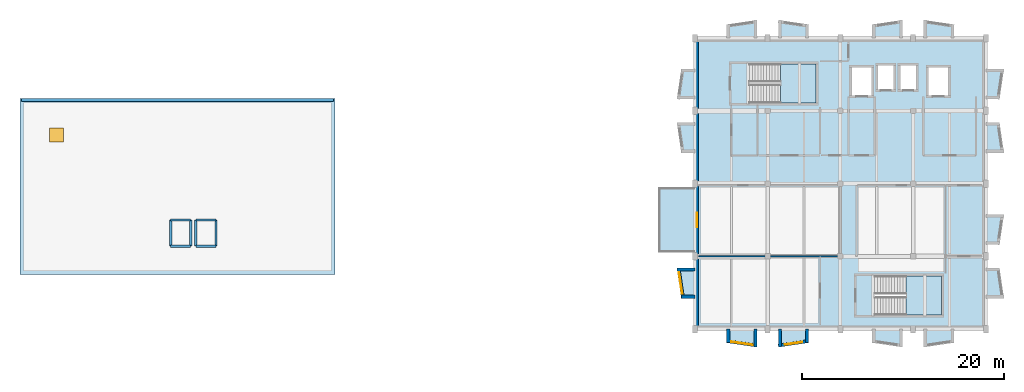
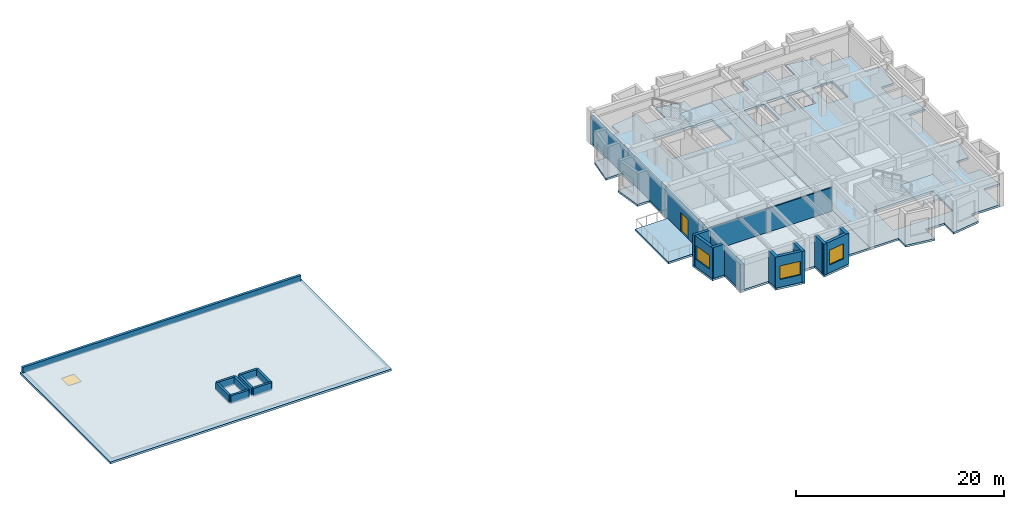
# One storey, part 2 of 7: 20 walls, 6 slabs, 4 windows, 1 door, 5 openings, 2 elements without a shape of their own.
"""IFC4 building model written with IfcOpenShell, lengths in metres."""

import ifcopenshell
import ifcopenshell.guid

model = None  # the IFC model being written
_history = None  # IfcOwnerHistory: only IFC2X3 demands one
_inside = {}  # id of a spatial element -> (the spatial element, [elements in it])
_under = {}  # id of a project, library or spatial element -> (it, [spatial elements below it])
_declared = {}  # id of a project -> (the project, [libraries it declares])
_typed = {}  # id of a type object -> (the type object, [elements of that type])
_made_of = {}  # id of a material, layer set ... -> (it, [elements and type objects made of it])


def new_model(schema):
    """Start an empty IFC model of exactly this schema.

    Asked for "IFC4X3", IfcOpenShell would pick the latest addendum, in which some entities
    have other attributes; the version numbers below select the first issue.
    IFC2X3 requires an IfcOwnerHistory on every rooted entity: one is made here for all.
    """
    global model, _history
    if schema == "IFC4X3":
        model = ifcopenshell.file(schema_version=(4, 3, 0, 0))
    else:
        model = ifcopenshell.file(schema=schema)
    _inside.clear()
    _under.clear()
    _declared.clear()
    _typed.clear()
    _made_of.clear()
    _history = None
    if model.schema == "IFC2X3":
        org = make("IfcOrganization", Name="unknown")
        user = make(
            "IfcPersonAndOrganization",
            ThePerson=make("IfcPerson", FamilyName="unknown"),
            TheOrganization=org,
        )
        app = make(
            "IfcApplication",
            ApplicationDeveloper=org,
            Version="unknown",
            ApplicationFullName="unknown",
            ApplicationIdentifier="unknown",
        )
        _history = make(
            "IfcOwnerHistory",
            OwningUser=user,
            OwningApplication=app,
            ChangeAction="ADDED",
            CreationDate=0,
        )
    return model


def make(cls, **values):
    """One entity of the class cls with the attributes given. An attribute that is None is left unset."""
    return model.create_entity(
        cls, **{name: value for name, value in values.items() if value is not None}
    )


def rooted(cls, **values):
    """An entity with a GlobalId (a new one), such as an element, a storey or a relation."""
    return make(cls, GlobalId=ifcopenshell.guid.new(), OwnerHistory=_history, **values)


def si_unit(unit_type, name, prefix=None):
    """IfcSIUnit, for example si_unit("LENGTHUNIT", "METRE", prefix="MILLI")."""
    return make("IfcSIUnit", UnitType=unit_type, Prefix=prefix, Name=name)


def assignment(units):
    """IfcUnitAssignment: the units of a project."""
    return None if units is None else make("IfcUnitAssignment", Units=units)


def point(xyz):
    """IfcCartesianPoint."""
    return None if xyz is None else make("IfcCartesianPoint", Coordinates=xyz)


def direction(xyz):
    """IfcDirection."""
    return None if xyz is None else make("IfcDirection", DirectionRatios=xyz)


def frame(location, z_axis=None, x_axis=None):
    """IfcAxis2Placement3D, a coordinate frame: its origin and axes. An axis left out is left unset."""
    return make(
        "IfcAxis2Placement3D",
        Location=point(location),
        Axis=direction(z_axis),
        RefDirection=direction(x_axis),
    )


def frame_2d(location, x_axis=None):
    """IfcAxis2Placement2D, a coordinate frame in the plane: its origin and x axis."""
    return make(
        "IfcAxis2Placement2D", Location=point(location), RefDirection=direction(x_axis)
    )


def origin():
    """The frame at (0, 0, 0) with its axes left unset."""
    return frame((0.0, 0.0, 0.0))


def origin_2d():
    """The frame at (0, 0) in the plane with its x axis left unset."""
    return frame_2d((0.0, 0.0))


def place(relative_to, where):
    """IfcLocalPlacement: puts the frame where relative to a parent placement (None: the world)."""
    return make(
        "IfcLocalPlacement", PlacementRelTo=relative_to, RelativePlacement=where
    )


def context(
    kind, dimensions, precision=None, world=None, true_north=None, identifier=None
):
    """IfcGeometricRepresentationContext, for example the 3D "Model" context."""
    return make(
        "IfcGeometricRepresentationContext",
        ContextIdentifier=identifier,
        ContextType=kind,
        CoordinateSpaceDimension=dimensions,
        Precision=precision,
        WorldCoordinateSystem=world,
        TrueNorth=true_north,
    )


def subcontext(parent, identifier, kind, view, scale=None):
    """IfcGeometricRepresentationSubContext, for example "Body" below "Model"."""
    return make(
        "IfcGeometricRepresentationSubContext",
        ContextIdentifier=identifier,
        ContextType=kind,
        ParentContext=parent,
        TargetScale=scale,
        TargetView=view,
    )


def project(units=None, contexts=None):
    """IfcProject with its units and contexts."""
    return rooted(
        "IfcProject",
        Name="project",
        RepresentationContexts=contexts,
        UnitsInContext=assignment(units),
    )


def spatial(cls, under=None, at=None, **own):
    """A site, building, storey or space (cls), placed at a placement, below another one or the project."""
    s = rooted(cls, ObjectPlacement=at, **own)
    if under is not None:
        _under.setdefault(under.id(), (under, []))[1].append(s)
    return s


def polyline(points):
    """IfcPolyline through the points."""
    return make("IfcPolyline", Points=[point(p) for p in points])


def profile(cls, at=None, kind="AREA", **sizes):
    """A parametric profile (cls). Its sizes go by their IFC names, for example OverallWidth=200.0."""
    return make(cls, ProfileType=kind, Position=at, **sizes)


def rectangle(**sizes):
    """IfcRectangleProfileDef."""
    return profile("IfcRectangleProfileDef", **sizes)


def outline(outer, holes=None, kind="AREA"):
    """IfcArbitraryClosedProfileDef: a profile drawn as a closed curve; with holes, ...WithVoids."""
    if holes is None:
        return make("IfcArbitraryClosedProfileDef", ProfileType=kind, OuterCurve=outer)
    return make(
        "IfcArbitraryProfileDefWithVoids",
        ProfileType=kind,
        OuterCurve=outer,
        InnerCurves=holes,
    )


def extrude(swept, where, along, depth):
    """IfcExtrudedAreaSolid: the profile swept, set in the frame where, extruded along a direction by depth."""
    return make(
        "IfcExtrudedAreaSolid",
        SweptArea=swept,
        Position=where,
        ExtrudedDirection=direction(along),
        Depth=depth,
    )


def shape(context_of_items, identifier, shape_type, items):
    """IfcShapeRepresentation: the items that make up one representation, for example the "Body"."""
    return make(
        "IfcShapeRepresentation",
        ContextOfItems=context_of_items,
        RepresentationIdentifier=identifier,
        RepresentationType=shape_type,
        Items=items,
    )


def material(Name=None, Category=None):
    """IfcMaterial."""
    return make("IfcMaterial", Name=Name, Category=Category)


def layer(
    of_material, thickness, ventilated=None, Name=None, Category=None, Priority=None
):
    """IfcMaterialLayer: one layer of a wall or slab, of a material (None: an air gap)."""
    return make(
        "IfcMaterialLayer",
        Material=of_material,
        LayerThickness=thickness,
        IsVentilated=ventilated,
        Name=Name,
        Category=Category,
        Priority=Priority,
    )


def layer_set(layers, Name=None):
    """IfcMaterialLayerSet."""
    return make("IfcMaterialLayerSet", MaterialLayers=layers, LayerSetName=Name)


def made_of(thing, what):
    """Note that an element or type object is made of a material, layer set ...; save() writes the relation."""
    if what is not None:
        _made_of.setdefault(what.id(), (what, []))[1].append(thing)
    return thing


def type_object(cls, material=None, **own):
    """A type object (cls), such as IfcWallType, which elements share."""
    return made_of(rooted(cls, **own), material)


def element(
    cls,
    number,
    at=None,
    inside=None,
    cuts=None,
    type_object=None,
    material=None,
    context=None,
    identifier="Body",
    shape_type=None,
    held_by="IfcProductDefinitionShape",
    body=None,
    shapes=None,
    **own,
):
    """One element of the class cls, such as IfcWall. Its Tag is "e" and its number.

    at: its placement. inside: the storey or other place that contains it. cuts: it is an
    opening in that element (IfcRelVoidsElement). A single representation is given by context,
    identifier, shape_type and body (its items); several are given by shapes. held_by: the class
    of the entity that holds the representations. save() writes the other relations.
    """
    e = rooted(cls, Tag="e%d" % number, ObjectPlacement=at, **own)
    if body is not None:
        shapes = [shape(context, identifier, shape_type, body)]
    if shapes is not None:
        e.Representation = make(held_by, Representations=shapes)
    if inside is not None:
        _inside.setdefault(inside.id(), (inside, []))[1].append(e)
    if cuts is not None:
        rooted(
            "IfcRelVoidsElement", RelatingBuildingElement=cuts, RelatedOpeningElement=e
        )
    if type_object is not None:
        _typed.setdefault(type_object.id(), (type_object, []))[1].append(e)
    return made_of(e, material)


def fill(opening, filler):
    """IfcRelFillsElement: the door or window that sits in an opening."""
    return rooted(
        "IfcRelFillsElement",
        RelatingOpeningElement=opening,
        RelatedBuildingElement=filler,
    )


def aggregate(whole, parts):
    """IfcRelAggregates: a whole, such as a stair, and the parts it consists of."""
    return rooted("IfcRelAggregates", RelatingObject=whole, RelatedObjects=parts)


def save(model, path):
    """Write the relations noted so far, then the file.

    IfcRelAggregates (storeys below a building ...), IfcRelContainedInSpatialStructure (elements
    in a storey), IfcRelDefinesByType, IfcRelAssociatesMaterial and IfcRelDeclares: one each for
    every whole, place, type object, material and project.
    """
    for whole, parts in _under.values():
        aggregate(whole, parts)
    for where, things in _inside.values():
        rooted(
            "IfcRelContainedInSpatialStructure",
            RelatedElements=things,
            RelatingStructure=where,
        )
    for kind, things in _typed.values():
        rooted("IfcRelDefinesByType", RelatedObjects=things, RelatingType=kind)
    for what, things in _made_of.values():
        rooted("IfcRelAssociatesMaterial", RelatedObjects=things, RelatingMaterial=what)
    for by, libraries in _declared.values():
        rooted("IfcRelDeclares", RelatingContext=by, RelatedDefinitions=libraries)
    model.write(path)


model = new_model("IFC4")

# Units and contexts
model_context = context("Model", 3, precision=1e-05, world=origin(), true_north=direction((0.0, 1.0)))
body_context = subcontext(model_context, "Body", "Model", "MODEL_VIEW")
ifc_project = project(units=[si_unit("LENGTHUNIT", "METRE"), si_unit("AREAUNIT", "SQUARE_METRE"), si_unit("VOLUMEUNIT", "CUBIC_METRE"), si_unit("PLANEANGLEUNIT", "RADIAN"), si_unit("MASSUNIT", "GRAM", prefix="KILO")], contexts=[model_context])

# Site, building, storey
site_placement = place(None, origin())
site = spatial("IfcSite", under=ifc_project, at=site_placement, CompositionType="ELEMENT")
building_placement = place(site_placement, origin())
building = spatial("IfcBuilding", under=site, at=building_placement, Name="Bramveld Media Centre", CompositionType="ELEMENT")
storey_placement = place(building_placement, frame((0.0, 0.0, 25.800048828125)))
storey = spatial("IfcBuildingStorey", under=building, at=storey_placement, Name="L06", CompositionType="ELEMENT", Elevation=25.800048828125)

# Slab, opening, window
ifc_material_1 = material(Name="Concrete C40/50", Category="concrete")
ifc_layer_1 = layer(ifc_material_1, 0.238037109375)
ifc_layer_set_1 = layer_set([ifc_layer_1], Name="Concrete C40/50")
slab_type_1 = type_object("IfcSlabType", Name="ROOF-SLAB-238-14", PredefinedType="ROOF", material=ifc_layer_set_1)
slab_1_placement = place(storey_placement, frame((0.0, 0.0, -0.238037109375)))
slab_1 = element("IfcSlab", 1, at=slab_1_placement, inside=storey, type_object=slab_type_1, Name="V6 L06 flat roof slab", PredefinedType="ROOF", context=body_context, shape_type="SweptSolid", body=[
    extrude(outline(polyline([(64.39990234375, 88.60009765625), (95.60009765625, 88.60009765625), (95.60009765625, 106.0), (64.39990234375, 106.0), (64.39990234375, 88.60009765625)])), origin(), (0.0, 0.0, 1.0), 0.238037109375),
])
opening_1_placement = place(slab_1_placement, frame((68.0, 102.39990234375, 0.0)))
opening_1 = element("IfcOpeningElement", 2, at=opening_1_placement, cuts=slab_1, Name="Opening SK-02", PredefinedType="OPENING", context=body_context, shape_type="SweptSolid", body=[
    extrude(rectangle(XDim=1.39990234375, YDim=1.39990234375, at=origin_2d()), origin(), (0.0, 0.0, 1.0), 0.238037109375),
])
ifc_material_2 = material(Name="Insulated aluminium smoke-ventilation & maintenance roof skylight hatch", Category="aluminium")
window_type_1 = type_object("IfcWindowType", Name="SKY-HATCH-02", PartitioningType="SINGLE_PANEL", PredefinedType="SKYLIGHT", material=ifc_material_2)
window_1_placement = place(opening_1_placement, frame((0.0, 0.0, 0.18798828125)))
window_1 = element("IfcWindow", 3, at=window_1_placement, inside=storey, type_object=window_type_1, Name="Roof maintenance & smoke-vent skylight hatch 13", OverallHeight=1.39990234375, OverallWidth=1.39990234375, PartitioningType="SINGLE_PANEL", PredefinedType="SKYLIGHT", context=body_context, shape_type="SweptSolid", body=[
    extrude(rectangle(XDim=1.39990234375, YDim=1.39990234375, at=origin_2d()), origin(), (0.0, 0.0, 1.0), 0.050048828125),
])
fill(opening_1, window_1)

# Slabs
ifc_material_3 = material(Name="Precast concrete C40/50", Category="concrete")
ifc_layer_2 = layer(ifc_material_3, 0.239990234375)
ifc_layer_set_2 = layer_set([ifc_layer_2], Name="Precast concrete C40/50")
slab_type_2 = type_object("IfcSlabType", Name="SLAB-FLOOR-EXT-240", PredefinedType="FLOOR", material=ifc_layer_set_2)
slab_2_placement = place(storey_placement, frame((0.0, 0.0, -0.239990234375)))
element("IfcSlab", 4, at=slab_2_placement, inside=storey, type_object=slab_type_2, Name="Courtyard Broadcast Balcony L06", PredefinedType="FLOOR", context=body_context, shape_type="SweptSolid", body=[
    extrude(outline(polyline([(127.60009765625, 90.800048828125), (131.199951171875, 90.800048828125), (131.199951171875, 97.199951171875), (127.60009765625, 97.199951171875), (127.60009765625, 90.800048828125)])), origin(), (0.0, 0.0, 1.0), 0.239990234375),
])
ifc_material_4 = material(Name="Concrete C40/50", Category="concrete")
ifc_layer_3 = layer(ifc_material_4, 0.239990234375)
ifc_layer_set_3 = layer_set([ifc_layer_3], Name="Concrete C40/50")
slab_type_3 = type_object("IfcSlabType", Name="SLAB-FLOOR-INT-240", PredefinedType="FLOOR", material=ifc_layer_set_3)
slab_3_placement = place(storey_placement, frame((0.0, 0.0, -0.239990234375)))
element("IfcSlab", 5, at=slab_3_placement, inside=storey, type_object=slab_type_3, Name="V7 L06 structural slab 1", PredefinedType="FLOOR", context=body_context, shape_type="SweptSolid", body=[
    extrude(outline(polyline([(131.199951171875, 86.25), (129.85009765625, 86.25), (129.406982421875, 89.25), (131.199951171875, 89.25), (131.199951171875, 100.64990234375), (129.85009765625, 100.64990234375), (129.406982421875, 103.64990234375), (131.199951171875, 103.64990234375), (131.199951171875, 105.949951171875), (129.406982421875, 105.949951171875), (129.85009765625, 108.949951171875), (131.199951171875, 108.949951171875), (131.199951171875, 112.0), (134.35009765625, 112.0), (134.35009765625, 113.35009765625), (137.35009765625, 113.79296875), (137.35009765625, 112.0), (139.449951171875, 112.0), (139.449951171875, 113.79296875), (142.449951171875, 113.35009765625), (142.449951171875, 112.0), (145.60009765625, 112.0), (145.60009765625, 83.199951171875), (142.449951171875, 83.199951171875), (142.449951171875, 81.85009765625), (139.449951171875, 81.406982421875), (139.449951171875, 83.199951171875), (137.35009765625, 83.199951171875), (137.35009765625, 81.406982421875), (134.35009765625, 81.85009765625), (134.35009765625, 83.199951171875), (131.199951171875, 83.199951171875), (131.199951171875, 86.25)]), holes=[polyline([(143.199951171875, 109.449951171875), (136.60009765625, 109.449951171875), (136.60009765625, 105.60009765625), (143.199951171875, 105.60009765625), (143.199951171875, 109.449951171875)])]), origin(), (0.0, 0.0, 1.0), 0.239990234375),
])
slab_4_placement = place(storey_placement, frame((0.0, 0.0, -0.239990234375)))
element("IfcSlab", 6, at=slab_4_placement, inside=storey, type_object=slab_type_3, Name="V7 L06 structural slab 2", PredefinedType="FLOOR", context=body_context, shape_type="SweptSolid", body=[
    extrude(outline(polyline([(148.75, 113.35009765625), (151.75, 113.79296875), (151.75, 112.0), (153.85009765625, 112.0), (153.85009765625, 113.79296875), (156.85009765625, 113.35009765625), (156.85009765625, 112.0), (160.0, 112.0), (160.0, 108.949951171875), (161.79296875, 108.949951171875), (161.35009765625, 105.949951171875), (160.0, 105.949951171875), (160.0, 103.64990234375), (161.35009765625, 103.64990234375), (161.79296875, 100.64990234375), (160.0, 100.64990234375), (160.0, 94.550048828125), (161.79296875, 94.550048828125), (161.35009765625, 91.550048828125), (160.0, 91.550048828125), (160.0, 89.25), (161.35009765625, 89.25), (161.79296875, 86.25), (160.0, 86.25), (160.0, 83.199951171875), (156.85009765625, 83.199951171875), (156.85009765625, 81.85009765625), (153.85009765625, 81.406982421875), (153.85009765625, 83.199951171875), (151.75, 83.199951171875), (151.75, 81.406982421875), (148.75, 81.85009765625), (148.75, 83.199951171875), (145.60009765625, 83.199951171875), (145.60009765625, 112.0), (148.75, 112.0), (148.75, 113.35009765625)]), holes=[polyline([(149.0, 88.449951171875), (149.0, 84.60009765625), (155.60009765625, 84.60009765625), (155.60009765625, 88.449951171875), (149.0, 88.449951171875)]), polyline([(146.60009765625, 109.199951171875), (146.60009765625, 106.199951171875), (148.800048828125, 106.199951171875), (148.800048828125, 109.199951171875), (146.60009765625, 109.199951171875)]), polyline([(154.199951171875, 106.199951171875), (156.39990234375, 106.199951171875), (156.39990234375, 109.199951171875), (154.199951171875, 109.199951171875), (154.199951171875, 106.199951171875)]), polyline([(149.199951171875, 109.39990234375), (149.199951171875, 106.800048828125), (151.0, 106.800048828125), (151.0, 109.39990234375), (149.199951171875, 109.39990234375)]), polyline([(151.39990234375, 109.39990234375), (151.39990234375, 106.800048828125), (153.199951171875, 106.800048828125), (153.199951171875, 109.39990234375), (151.39990234375, 109.39990234375)])]), origin(), (0.0, 0.0, 1.0), 0.239990234375),
])

# Stair, slab
ifc_material_5 = material(Name="Concrete C40/50", Category="concrete")
stair_type_1 = type_object("IfcStairType", Name="STAIR-ST-01-24R-1800", PredefinedType="HALF_TURN_STAIR", material=ifc_material_5)
stair_1_placement = place(storey_placement, origin())
stair_1 = element("IfcStair", 7, at=stair_1_placement, inside=storey, type_object=stair_type_1, Name="L06 Core A1 Pressurized Firefighting Stair", PredefinedType="HALF_TURN_STAIR")
ifc_material_6 = material(Name="Concrete C40/50", Category="concrete")
ifc_layer_4 = layer(ifc_material_6, 0.199951171875)
ifc_layer_set_4 = layer_set([ifc_layer_4], Name="Concrete C40/50")
slab_type_4 = type_object("IfcSlabType", Name="SLAB-STAIR-LAND-200", PredefinedType="LANDING", material=ifc_layer_set_4)
slab_5_placement = place(storey_placement, frame((0.0, 0.0, 1.75)))
slab_5 = element("IfcSlab", 8, at=slab_5_placement, type_object=slab_type_4, Name="ST-01 landing 1", PredefinedType="LANDING", context=body_context, shape_type="SweptSolid", body=[
    extrude(outline(polyline([(139.679931640625, 105.60009765625), (143.199951171875, 105.60009765625), (143.199951171875, 109.449951171875), (139.679931640625, 109.449951171875), (139.679931640625, 105.60009765625)])), origin(), (0.0, 0.0, 1.0), 0.199951171875),
])
aggregate(stair_1, [slab_5])

ifc_material_7 = material(Name="Concrete C40/50", Category="concrete")
stair_type_2 = type_object("IfcStairType", Name="STAIR-ST-02-24R-1800", PredefinedType="HALF_TURN_STAIR", material=ifc_material_7)
stair_2_placement = place(storey_placement, origin())
stair_2 = element("IfcStair", 9, at=stair_2_placement, inside=storey, type_object=stair_type_2, Name="L06 Core A2 Pressurized Escape Stair", PredefinedType="HALF_TURN_STAIR")
slab_6_placement = place(storey_placement, frame((0.0, 0.0, 1.75)))
slab_6 = element("IfcSlab", 10, at=slab_6_placement, type_object=slab_type_4, Name="ST-02 landing 1", PredefinedType="LANDING", context=body_context, shape_type="SweptSolid", body=[
    extrude(outline(polyline([(152.080078125, 84.60009765625), (155.60009765625, 84.60009765625), (155.60009765625, 88.449951171875), (152.080078125, 88.449951171875), (152.080078125, 84.60009765625)])), origin(), (0.0, 0.0, 1.0), 0.199951171875),
])
aggregate(stair_2, [slab_6])

# Wall, opening, door
ifc_material_8 = material(Name="Flemish red-brown clay facing brick cavity wall with calcium-silicate backing", Category="masonry")
ifc_layer_5 = layer(ifc_material_8, 0.3798828125)
ifc_layer_set_5 = layer_set([ifc_layer_5], Name="Flemish red-brown clay facing brick cavity wall with calcium-silicate backing")
wall_type_1 = type_object("IfcWallType", Name="EW-BRK-380", PredefinedType="SOLIDWALL", material=ifc_layer_set_5)
wall_1_placement = place(storey_placement, frame((131.389892578125, 83.199951171875, 0.0), z_axis=(0.0, 0.0, 1.0), x_axis=(0.0, 1.0, 0.0)))
wall_1 = element("IfcWall", 11, at=wall_1_placement, inside=storey, type_object=wall_type_1, Name="V7 L06 W facing brick exterior wall", PredefinedType="SOLIDWALL", context=body_context, shape_type="SweptSolid", body=[
    extrude(rectangle(XDim=28.800048828125, YDim=0.3798828125, at=frame_2d((14.39990234375, 0.0))), origin(), (0.0, 0.0, 1.0), 3.044921875),
])
opening_2_placement = place(wall_1_placement, frame((10.10009765625, 0.0, 0.0)))
opening_2 = element("IfcOpeningElement", 12, at=opening_2_placement, cuts=wall_1, Name="Opening TD-11", PredefinedType="OPENING", context=body_context, shape_type="SweptSolid", body=[
    extrude(rectangle(XDim=1.39990234375, YDim=2.199951171875, at=frame_2d((0.699951171875, 1.10009765625))), frame((0.0, 0.201904296875, 0.0), z_axis=(0.0, -1.0, 0.0), x_axis=(1.0, 0.0, 0.0)), (0.0, 0.0, 1.0), 0.40380859375),
])
ifc_material_9 = material(Name="Insulated powder-coated bronze aluminium & laminated safety glass door", Category="aluminium")
door_type = type_object("IfcDoorType", Name="DR-TER-1400", OperationType="NOTDEFINED", PredefinedType="DOOR", material=ifc_material_9)
door_placement = place(opening_2_placement, origin())
door = element("IfcDoor", 13, at=door_placement, inside=storey, type_object=door_type, Name="Exterior door TD-11", OperationType="SINGLE_SWING_LEFT", OverallHeight=2.199951171875, OverallWidth=1.39990234375, PredefinedType="DOOR", context=body_context, shape_type="SweptSolid", body=[
    extrude(rectangle(XDim=1.39990234375, YDim=2.199951171875, at=frame_2d((0.699951171875, 1.10009765625))), frame((0.0, 0.02490234375, 0.0), z_axis=(0.0, -1.0, 0.0), x_axis=(1.0, 0.0, 0.0)), (0.0, 0.0, 1.0), 0.050048828125),
])
fill(opening_2, door)

# Wall, opening, window
ifc_material_10 = material(Name="Precast concrete C40/50 & brick-slip faceted bay cheek wall", Category="masonry")
ifc_layer_6 = layer(ifc_material_10, 0.320068359375)
ifc_layer_set_6 = layer_set([ifc_layer_6], Name="Precast concrete C40/50 & brick-slip faceted bay cheek wall")
wall_type_2 = type_object("IfcWallType", Name="EW-FACET-320", PredefinedType="SOLIDWALL", material=ifc_layer_set_6)
wall_2_placement = place(storey_placement, frame((134.35009765625, 82.010009765625, 0.0), z_axis=(0.0, 0.0, 1.0), x_axis=(0.989266910268, -0.146119746268, 0.0)))
wall_2 = element("IfcWall", 14, at=wall_2_placement, inside=storey, type_object=wall_type_2, Name="V7 L06 S angled faceted bay front wall 1", PredefinedType="SOLIDWALL", context=body_context, shape_type="SweptSolid", body=[
    extrude(rectangle(XDim=3.032470703125, YDim=0.320068359375, at=frame_2d((1.51611328125, 0.0))), origin(), (0.0, 0.0, 1.0), 3.6298828125),
])
opening_3_placement = place(wall_2_placement, frame((0.44140625, 0.0, 0.89990234375)))
opening_3 = element("IfcOpeningElement", 15, at=opening_3_placement, cuts=wall_2, Name="Opening W-32", PredefinedType="OPENING", context=body_context, shape_type="SweptSolid", body=[
    extrude(rectangle(XDim=2.14990234375, YDim=1.60009765625, at=frame_2d((1.074951171875, 0.800048828125))), frame((0.0, 0.171875, 0.0), z_axis=(0.0, -1.0, 0.0), x_axis=(1.0, 0.0, 0.0)), (0.0, 0.0, 1.0), 0.343994140625),
])
ifc_material_11 = material(Name="Thermally broken anodized bronze aluminium frame with triple acoustic glazing", Category="aluminium")
window_type_2 = type_object("IfcWindowType", Name="WIN-FAC-32", PartitioningType="SINGLE_PANEL", PredefinedType="WINDOW", material=ifc_material_11)
window_2_placement = place(opening_3_placement, origin())
window_2 = element("IfcWindow", 16, at=window_2_placement, inside=storey, type_object=window_type_2, Name="V7 L06 S faceted bay window 1", OverallHeight=1.60009765625, OverallWidth=2.14990234375, PartitioningType="SINGLE_PANEL", PredefinedType="WINDOW", context=body_context, shape_type="SweptSolid", body=[
    extrude(rectangle(XDim=2.14990234375, YDim=1.60009765625, at=frame_2d((1.074951171875, 0.800048828125))), frame((0.0, 0.030029296875, 0.0), z_axis=(0.0, -1.0, 0.0), x_axis=(1.0, 0.0, 0.0)), (0.0, 0.0, 1.0), 0.06005859375),
])
fill(opening_3, window_2)

# Walls
wall_3_placement = place(storey_placement, frame((134.510009765625, 83.199951171875, 0.0), z_axis=(0.0, 0.0, 1.0), x_axis=(0.0, -1.0, 0.0)))
element("IfcWall", 17, at=wall_3_placement, inside=storey, type_object=wall_type_2, Name="V7 L06 S faceted bay cheek wall", PredefinedType="SOLIDWALL", context=body_context, shape_type="SweptSolid", body=[
    extrude(rectangle(XDim=1.349853515625, YDim=0.320068359375, at=frame_2d((0.6748046875, 0.0))), origin(), (0.0, 0.0, 1.0), 3.6298828125),
])
wall_4_placement = place(storey_placement, frame((137.18994140625, 83.199951171875, 0.0), z_axis=(0.0, 0.0, 1.0), x_axis=(0.0, -1.0, 0.0)))
element("IfcWall", 18, at=wall_4_placement, inside=storey, type_object=wall_type_2, Name="V7 L06 S faceted bay cheek wall", PredefinedType="SOLIDWALL", context=body_context, shape_type="SweptSolid", body=[
    extrude(rectangle(XDim=1.79296875, YDim=0.320068359375, at=frame_2d((0.896484375, 0.0))), origin(), (0.0, 0.0, 1.0), 3.6298828125),
])

# Wall, opening, window
wall_5_placement = place(storey_placement, frame((139.449951171875, 81.56689453125, 0.0), z_axis=(0.0, 0.0, 1.0), x_axis=(0.989266910268, 0.146119746268, 0.0)))
wall_5 = element("IfcWall", 19, at=wall_5_placement, inside=storey, type_object=wall_type_2, Name="V7 L06 S angled faceted bay front wall 2", PredefinedType="SOLIDWALL", context=body_context, shape_type="SweptSolid", body=[
    extrude(rectangle(XDim=3.032470703125, YDim=0.320068359375, at=frame_2d((1.51611328125, 0.0))), origin(), (0.0, 0.0, 1.0), 3.6298828125),
])
opening_4_placement = place(wall_5_placement, frame((0.641357421875, 0.0, 0.89990234375)))
opening_4 = element("IfcOpeningElement", 20, at=opening_4_placement, cuts=wall_5, Name="Opening W-33", PredefinedType="OPENING", context=body_context, shape_type="SweptSolid", body=[
    extrude(rectangle(XDim=1.75, YDim=1.75, at=frame_2d((0.875, 0.875))), frame((0.0, 0.171875, 0.0), z_axis=(0.0, -1.0, 0.0), x_axis=(1.0, 0.0, 0.0)), (0.0, 0.0, 1.0), 0.343994140625),
])
ifc_material_12 = material(Name="Thermally broken anodized bronze aluminium frame with triple acoustic glazing", Category="aluminium")
window_type_3 = type_object("IfcWindowType", Name="WIN-FAC-33", PartitioningType="SINGLE_PANEL", PredefinedType="WINDOW", material=ifc_material_12)
window_3_placement = place(opening_4_placement, origin())
window_3 = element("IfcWindow", 21, at=window_3_placement, inside=storey, type_object=window_type_3, Name="V7 L06 S faceted bay window 2", OverallHeight=1.75, OverallWidth=1.75, PartitioningType="SINGLE_PANEL", PredefinedType="WINDOW", context=body_context, shape_type="SweptSolid", body=[
    extrude(rectangle(XDim=1.75, YDim=1.75, at=frame_2d((0.875, 0.875))), frame((0.0, 0.030029296875, 0.0), z_axis=(0.0, -1.0, 0.0), x_axis=(1.0, 0.0, 0.0)), (0.0, 0.0, 1.0), 0.06005859375),
])
fill(opening_4, window_3)

# Walls
wall_6_placement = place(storey_placement, frame((139.610107421875, 83.199951171875, 0.0), z_axis=(0.0, 0.0, 1.0), x_axis=(0.0, -1.0, 0.0)))
element("IfcWall", 22, at=wall_6_placement, inside=storey, type_object=wall_type_2, Name="V7 L06 S faceted bay cheek wall", PredefinedType="SOLIDWALL", context=body_context, shape_type="SweptSolid", body=[
    extrude(rectangle(XDim=1.79296875, YDim=0.320068359375, at=frame_2d((0.896484375, 0.0))), origin(), (0.0, 0.0, 1.0), 3.6298828125),
])
wall_7_placement = place(storey_placement, frame((142.2900390625, 83.199951171875, 0.0), z_axis=(0.0, 0.0, 1.0), x_axis=(0.0, -1.0, 0.0)))
element("IfcWall", 23, at=wall_7_placement, inside=storey, type_object=wall_type_2, Name="V7 L06 S faceted bay cheek wall", PredefinedType="SOLIDWALL", context=body_context, shape_type="SweptSolid", body=[
    extrude(rectangle(XDim=1.349853515625, YDim=0.320068359375, at=frame_2d((0.6748046875, 0.0))), origin(), (0.0, 0.0, 1.0), 3.6298828125),
])

# Wall, opening, window
wall_8_placement = place(storey_placement, frame((129.56689453125, 89.25, 0.0), z_axis=(0.0, 0.0, 1.0), x_axis=(0.146119746268, -0.989266910268, 0.0)))
wall_8 = element("IfcWall", 24, at=wall_8_placement, inside=storey, type_object=wall_type_2, Name="V7 L06 W angled faceted bay front wall 1", PredefinedType="SOLIDWALL", context=body_context, shape_type="SweptSolid", body=[
    extrude(rectangle(XDim=3.032470703125, YDim=0.320068359375, at=frame_2d((1.51611328125, 0.0))), origin(), (0.0, 0.0, 1.0), 3.6298828125),
])
opening_5_placement = place(wall_8_placement, frame((0.44140625, 0.0, 0.89990234375)))
opening_5 = element("IfcOpeningElement", 25, at=opening_5_placement, cuts=wall_8, Name="Opening W-32", PredefinedType="OPENING", context=body_context, shape_type="SweptSolid", body=[
    extrude(rectangle(XDim=2.14990234375, YDim=1.60009765625, at=frame_2d((1.074951171875, 0.800048828125))), frame((0.0, 0.171875, 0.0), z_axis=(0.0, -1.0, 0.0), x_axis=(1.0, 0.0, 0.0)), (0.0, 0.0, 1.0), 0.343994140625),
])
window_4_placement = place(opening_5_placement, origin())
window_4 = element("IfcWindow", 26, at=window_4_placement, inside=storey, type_object=window_type_2, Name="V7 L06 W faceted bay window 1", OverallHeight=1.60009765625, OverallWidth=2.14990234375, PartitioningType="SINGLE_PANEL", PredefinedType="WINDOW", context=body_context, shape_type="SweptSolid", body=[
    extrude(rectangle(XDim=2.14990234375, YDim=1.60009765625, at=frame_2d((1.074951171875, 0.800048828125))), frame((0.0, 0.030029296875, 0.0), z_axis=(0.0, -1.0, 0.0), x_axis=(1.0, 0.0, 0.0)), (0.0, 0.0, 1.0), 0.06005859375),
])
fill(opening_5, window_4)

# Walls
wall_9_placement = place(storey_placement, frame((131.199951171875, 86.409912109375, 0.0), z_axis=(0.0, 0.0, 1.0), x_axis=(-1.0, 0.0, 0.0)))
element("IfcWall", 27, at=wall_9_placement, inside=storey, type_object=wall_type_2, Name="V7 L06 W faceted bay cheek wall", PredefinedType="SOLIDWALL", context=body_context, shape_type="SweptSolid", body=[
    extrude(rectangle(XDim=1.349853515625, YDim=0.320068359375, at=frame_2d((0.6748046875, 0.0))), origin(), (0.0, 0.0, 1.0), 3.6298828125),
])
wall_10_placement = place(storey_placement, frame((131.199951171875, 89.090087890625, 0.0), z_axis=(0.0, 0.0, 1.0), x_axis=(-1.0, 0.0, 0.0)))
element("IfcWall", 28, at=wall_10_placement, inside=storey, type_object=wall_type_2, Name="V7 L06 W faceted bay cheek wall", PredefinedType="SOLIDWALL", context=body_context, shape_type="SweptSolid", body=[
    extrude(rectangle(XDim=1.79296875, YDim=0.320068359375, at=frame_2d((0.896484375, 0.0))), origin(), (0.0, 0.0, 1.0), 3.6298828125),
])
ifc_material_13 = material(Name="Lightweight acoustic stud partition", Category="gypsum")
ifc_layer_7 = layer(ifc_material_13, 0.125)
ifc_layer_set_7 = layer_set([ifc_layer_7], Name="Lightweight acoustic stud partition")
wall_type_3 = type_object("IfcWallType", Name="IW-PART-125", PredefinedType="PARTITIONING", material=ifc_layer_set_7)
wall_11_placement = place(storey_placement, frame((131.60009765625, 90.39990234375, 0.0), z_axis=(0.0, 0.0, 1.0), x_axis=(1.0, 0.0, 0.0)))
element("IfcWall", 29, at=wall_11_placement, inside=storey, type_object=wall_type_3, Name="Courtyard Balcony Broadcast Studio partition wall", PredefinedType="PARTITIONING", context=body_context, shape_type="SweptSolid", body=[
    extrude(rectangle(XDim=13.89990234375, YDim=0.125, at=frame_2d((6.949951171875, 0.0))), origin(), (0.0, 0.0, 1.0), 2.77490234375),
])
ifc_material_14 = material(Name="Precast concrete C40/50 capped brick roof parapet", Category="masonry")
ifc_layer_8 = layer(ifc_material_14, 0.239990234375)
ifc_layer_set_8 = layer_set([ifc_layer_8], Name="Precast concrete C40/50 capped brick roof parapet")
wall_type_4 = type_object("IfcWallType", Name="PARAPET-240", PredefinedType="PARAPET", material=ifc_layer_set_8)
for number, where, z_axis, x_axis, name in (
    (30, (79.300048828125, 91.39990234375, 0.0), (0.0, 0.0, 1.0), (1.0, 0.0, 0.0), "PL-04 lift shaft overrun housing curb S"),
    (31, (81.300048828125, 94.0, 0.0), (0.0, 0.0, 1.0), (-1.0, 0.0, 0.0), "PL-04 lift shaft overrun housing curb N"),
):
    element("IfcWall", number, at=place(storey_placement, frame(where, z_axis=z_axis, x_axis=x_axis)), inside=storey, type_object=wall_type_4, Name=name, PredefinedType="PARAPET", context=body_context, shape_type="SweptSolid", body=[
        extrude(rectangle(XDim=2.0, YDim=0.239990234375, at=frame_2d((1.0, 0.0))), origin(), (0.0, 0.0, 1.0), 0.89990234375),
    ])
for number, where, z_axis, x_axis, name in (
    (32, (79.300048828125, 94.0, 0.0), (0.0, 0.0, 1.0), (0.0, -1.0, 0.0), "PL-04 lift shaft overrun housing curb W"),
    (33, (81.300048828125, 91.39990234375, 0.0), (0.0, 0.0, 1.0), (0.0, 1.0, 0.0), "PL-04 lift shaft overrun housing curb E"),
):
    element("IfcWall", number, at=place(storey_placement, frame(where, z_axis=z_axis, x_axis=x_axis)), inside=storey, type_object=wall_type_4, Name=name, PredefinedType="PARAPET", context=body_context, shape_type="SweptSolid", body=[
        extrude(rectangle(XDim=2.60009765625, YDim=0.239990234375, at=frame_2d((1.300048828125, 0.0))), origin(), (0.0, 0.0, 1.0), 0.89990234375),
    ])
for number, where, z_axis, x_axis, name in (
    (34, (81.800048828125, 91.39990234375, 0.0), (0.0, 0.0, 1.0), (1.0, 0.0, 0.0), "PL-03 lift shaft overrun housing curb S"),
    (35, (83.800048828125, 94.0, 0.0), (0.0, 0.0, 1.0), (-1.0, 0.0, 0.0), "PL-03 lift shaft overrun housing curb N"),
):
    element("IfcWall", number, at=place(storey_placement, frame(where, z_axis=z_axis, x_axis=x_axis)), inside=storey, type_object=wall_type_4, Name=name, PredefinedType="PARAPET", context=body_context, shape_type="SweptSolid", body=[
        extrude(rectangle(XDim=2.0, YDim=0.239990234375, at=frame_2d((1.0, 0.0))), origin(), (0.0, 0.0, 1.0), 0.89990234375),
    ])
for number, where, z_axis, x_axis, name in (
    (36, (81.800048828125, 94.0, 0.0), (0.0, 0.0, 1.0), (0.0, -1.0, 0.0), "PL-03 lift shaft overrun housing curb W"),
    (37, (83.800048828125, 91.39990234375, 0.0), (0.0, 0.0, 1.0), (0.0, 1.0, 0.0), "PL-03 lift shaft overrun housing curb E"),
):
    element("IfcWall", number, at=place(storey_placement, frame(where, z_axis=z_axis, x_axis=x_axis)), inside=storey, type_object=wall_type_4, Name=name, PredefinedType="PARAPET", context=body_context, shape_type="SweptSolid", body=[
        extrude(rectangle(XDim=2.60009765625, YDim=0.239990234375, at=frame_2d((1.300048828125, 0.0))), origin(), (0.0, 0.0, 1.0), 0.89990234375),
    ])
ifc_material_15 = material(Name="Flemish brick-faced parapet upstand with Concrete C35/45 core", Category="masonry")
ifc_layer_9 = layer(ifc_material_15, 0.280029296875)
ifc_layer_set_9 = layer_set([ifc_layer_9], Name="Flemish brick-faced parapet upstand with Concrete C35/45 core")
wall_type_5 = type_object("IfcWallType", Name="PARAPET-280", PredefinedType="PARAPET", material=ifc_layer_set_9)
wall_12_placement = place(storey_placement, frame((64.550048828125, 105.860107421875, 0.0), z_axis=(0.0, 0.0, 1.0), x_axis=(1.0, 0.0, 0.0)))
element("IfcWall", 38, at=wall_12_placement, inside=storey, type_object=wall_type_5, Name="V6 L06 roof parapet upstand", PredefinedType="PARAPET", context=body_context, shape_type="SweptSolid", body=[
    extrude(rectangle(XDim=30.89990234375, YDim=0.280029296875, at=frame_2d((15.449951171875, 0.0))), origin(), (0.0, 0.0, 1.0), 0.64990234375),
])

save(model, "model.ifc")
